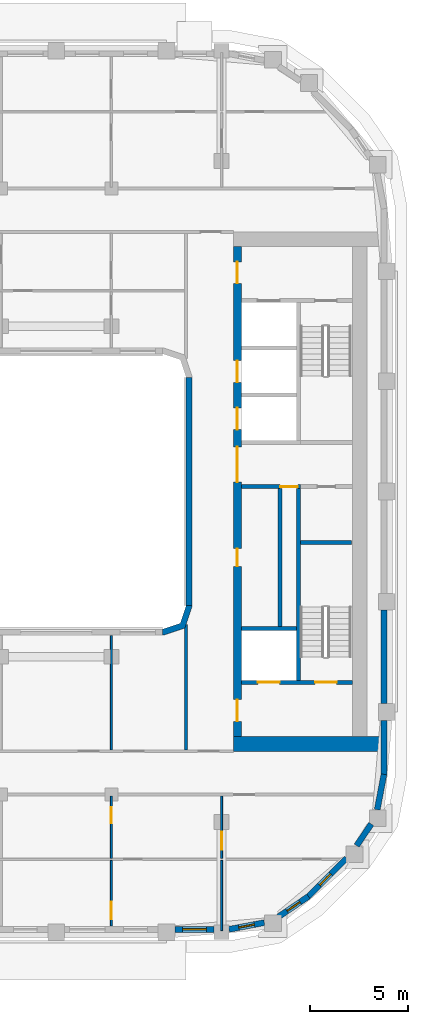
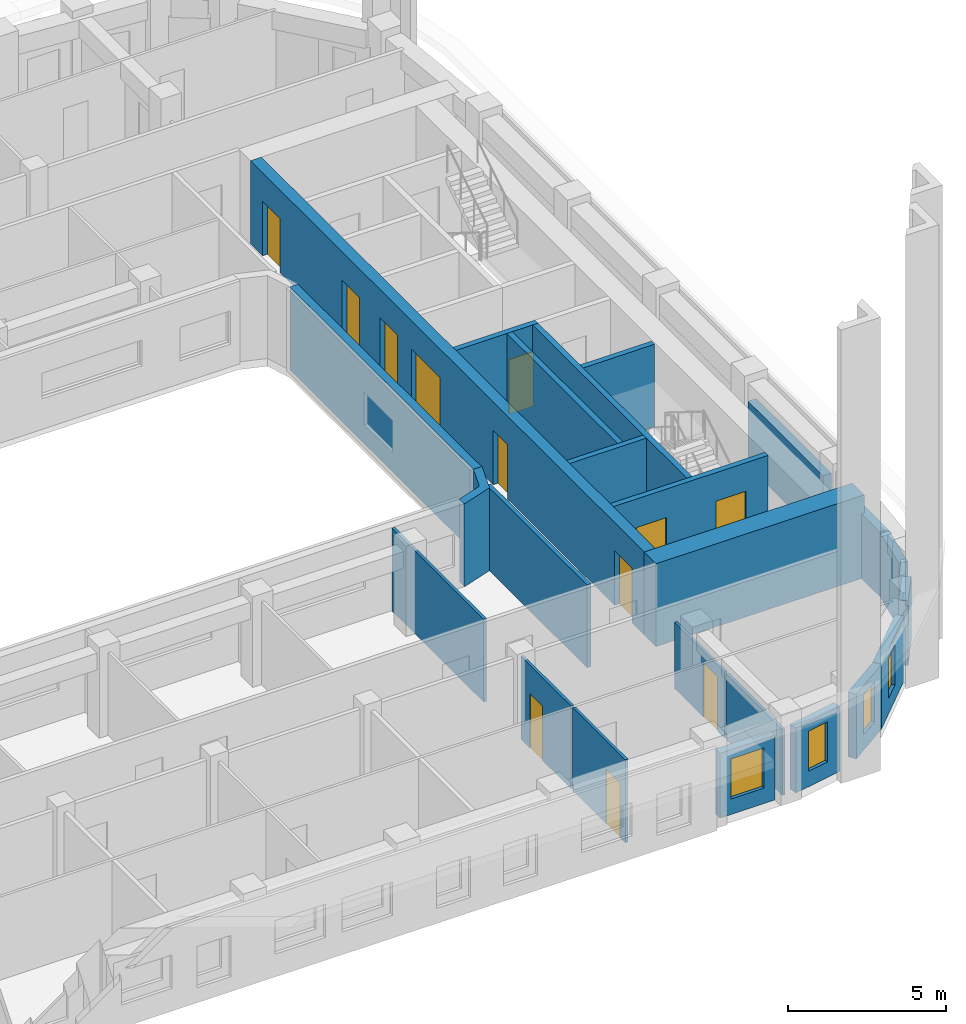
# One storey, part 5 of 21: 24 walls, 12 doors, 4 windows, 16 openings.
"""IFC4 building model written with IfcOpenShell, lengths in metres."""

import ifcopenshell
import ifcopenshell.guid

model = None  # the IFC model being written
_history = None  # IfcOwnerHistory: only IFC2X3 demands one
_inside = {}  # id of a spatial element -> (the spatial element, [elements in it])
_under = {}  # id of a project, library or spatial element -> (it, [spatial elements below it])
_declared = {}  # id of a project -> (the project, [libraries it declares])
_typed = {}  # id of a type object -> (the type object, [elements of that type])
_made_of = {}  # id of a material, layer set ... -> (it, [elements and type objects made of it])


def new_model(schema):
    """Start an empty IFC model of exactly this schema.

    Asked for "IFC4X3", IfcOpenShell would pick the latest addendum, in which some entities
    have other attributes; the version numbers below select the first issue.
    IFC2X3 requires an IfcOwnerHistory on every rooted entity: one is made here for all.
    """
    global model, _history
    if schema == "IFC4X3":
        model = ifcopenshell.file(schema_version=(4, 3, 0, 0))
    else:
        model = ifcopenshell.file(schema=schema)
    _inside.clear()
    _under.clear()
    _declared.clear()
    _typed.clear()
    _made_of.clear()
    _history = None
    if model.schema == "IFC2X3":
        org = make("IfcOrganization", Name="unknown")
        user = make(
            "IfcPersonAndOrganization",
            ThePerson=make("IfcPerson", FamilyName="unknown"),
            TheOrganization=org,
        )
        app = make(
            "IfcApplication",
            ApplicationDeveloper=org,
            Version="unknown",
            ApplicationFullName="unknown",
            ApplicationIdentifier="unknown",
        )
        _history = make(
            "IfcOwnerHistory",
            OwningUser=user,
            OwningApplication=app,
            ChangeAction="ADDED",
            CreationDate=0,
        )
    return model


def make(cls, **values):
    """One entity of the class cls with the attributes given. An attribute that is None is left unset."""
    return model.create_entity(
        cls, **{name: value for name, value in values.items() if value is not None}
    )


def rooted(cls, **values):
    """An entity with a GlobalId (a new one), such as an element, a storey or a relation."""
    return make(cls, GlobalId=ifcopenshell.guid.new(), OwnerHistory=_history, **values)


def si_unit(unit_type, name, prefix=None):
    """IfcSIUnit, for example si_unit("LENGTHUNIT", "METRE", prefix="MILLI")."""
    return make("IfcSIUnit", UnitType=unit_type, Prefix=prefix, Name=name)


def assignment(units):
    """IfcUnitAssignment: the units of a project."""
    return None if units is None else make("IfcUnitAssignment", Units=units)


def point(xyz):
    """IfcCartesianPoint."""
    return None if xyz is None else make("IfcCartesianPoint", Coordinates=xyz)


def direction(xyz):
    """IfcDirection."""
    return None if xyz is None else make("IfcDirection", DirectionRatios=xyz)


def frame(location, z_axis=None, x_axis=None):
    """IfcAxis2Placement3D, a coordinate frame: its origin and axes. An axis left out is left unset."""
    return make(
        "IfcAxis2Placement3D",
        Location=point(location),
        Axis=direction(z_axis),
        RefDirection=direction(x_axis),
    )


def frame_2d(location, x_axis=None):
    """IfcAxis2Placement2D, a coordinate frame in the plane: its origin and x axis."""
    return make(
        "IfcAxis2Placement2D", Location=point(location), RefDirection=direction(x_axis)
    )


def origin():
    """The frame at (0, 0, 0) with its axes left unset."""
    return frame((0.0, 0.0, 0.0))


def place(relative_to, where):
    """IfcLocalPlacement: puts the frame where relative to a parent placement (None: the world)."""
    return make(
        "IfcLocalPlacement", PlacementRelTo=relative_to, RelativePlacement=where
    )


def context(
    kind, dimensions, precision=None, world=None, true_north=None, identifier=None
):
    """IfcGeometricRepresentationContext, for example the 3D "Model" context."""
    return make(
        "IfcGeometricRepresentationContext",
        ContextIdentifier=identifier,
        ContextType=kind,
        CoordinateSpaceDimension=dimensions,
        Precision=precision,
        WorldCoordinateSystem=world,
        TrueNorth=true_north,
    )


def subcontext(parent, identifier, kind, view, scale=None):
    """IfcGeometricRepresentationSubContext, for example "Body" below "Model"."""
    return make(
        "IfcGeometricRepresentationSubContext",
        ContextIdentifier=identifier,
        ContextType=kind,
        ParentContext=parent,
        TargetScale=scale,
        TargetView=view,
    )


def project(units=None, contexts=None):
    """IfcProject with its units and contexts."""
    return rooted(
        "IfcProject",
        Name="project",
        RepresentationContexts=contexts,
        UnitsInContext=assignment(units),
    )


def spatial(cls, under=None, at=None, **own):
    """A site, building, storey or space (cls), placed at a placement, below another one or the project."""
    s = rooted(cls, ObjectPlacement=at, **own)
    if under is not None:
        _under.setdefault(under.id(), (under, []))[1].append(s)
    return s


def polyline(points):
    """IfcPolyline through the points."""
    return make("IfcPolyline", Points=[point(p) for p in points])


def profile(cls, at=None, kind="AREA", **sizes):
    """A parametric profile (cls). Its sizes go by their IFC names, for example OverallWidth=200.0."""
    return make(cls, ProfileType=kind, Position=at, **sizes)


def rectangle(**sizes):
    """IfcRectangleProfileDef."""
    return profile("IfcRectangleProfileDef", **sizes)


def outline(outer, holes=None, kind="AREA"):
    """IfcArbitraryClosedProfileDef: a profile drawn as a closed curve; with holes, ...WithVoids."""
    if holes is None:
        return make("IfcArbitraryClosedProfileDef", ProfileType=kind, OuterCurve=outer)
    return make(
        "IfcArbitraryProfileDefWithVoids",
        ProfileType=kind,
        OuterCurve=outer,
        InnerCurves=holes,
    )


def extrude(swept, where, along, depth):
    """IfcExtrudedAreaSolid: the profile swept, set in the frame where, extruded along a direction by depth."""
    return make(
        "IfcExtrudedAreaSolid",
        SweptArea=swept,
        Position=where,
        ExtrudedDirection=direction(along),
        Depth=depth,
    )


def shape(context_of_items, identifier, shape_type, items):
    """IfcShapeRepresentation: the items that make up one representation, for example the "Body"."""
    return make(
        "IfcShapeRepresentation",
        ContextOfItems=context_of_items,
        RepresentationIdentifier=identifier,
        RepresentationType=shape_type,
        Items=items,
    )


def material(Name=None, Category=None):
    """IfcMaterial."""
    return make("IfcMaterial", Name=Name, Category=Category)


def layer(
    of_material, thickness, ventilated=None, Name=None, Category=None, Priority=None
):
    """IfcMaterialLayer: one layer of a wall or slab, of a material (None: an air gap)."""
    return make(
        "IfcMaterialLayer",
        Material=of_material,
        LayerThickness=thickness,
        IsVentilated=ventilated,
        Name=Name,
        Category=Category,
        Priority=Priority,
    )


def layer_set(layers, Name=None):
    """IfcMaterialLayerSet."""
    return make("IfcMaterialLayerSet", MaterialLayers=layers, LayerSetName=Name)


def made_of(thing, what):
    """Note that an element or type object is made of a material, layer set ...; save() writes the relation."""
    if what is not None:
        _made_of.setdefault(what.id(), (what, []))[1].append(thing)
    return thing


def type_object(cls, material=None, **own):
    """A type object (cls), such as IfcWallType, which elements share."""
    return made_of(rooted(cls, **own), material)


def element(
    cls,
    number,
    at=None,
    inside=None,
    cuts=None,
    type_object=None,
    material=None,
    context=None,
    identifier="Body",
    shape_type=None,
    held_by="IfcProductDefinitionShape",
    body=None,
    shapes=None,
    **own,
):
    """One element of the class cls, such as IfcWall. Its Tag is "e" and its number.

    at: its placement. inside: the storey or other place that contains it. cuts: it is an
    opening in that element (IfcRelVoidsElement). A single representation is given by context,
    identifier, shape_type and body (its items); several are given by shapes. held_by: the class
    of the entity that holds the representations. save() writes the other relations.
    """
    e = rooted(cls, Tag="e%d" % number, ObjectPlacement=at, **own)
    if body is not None:
        shapes = [shape(context, identifier, shape_type, body)]
    if shapes is not None:
        e.Representation = make(held_by, Representations=shapes)
    if inside is not None:
        _inside.setdefault(inside.id(), (inside, []))[1].append(e)
    if cuts is not None:
        rooted(
            "IfcRelVoidsElement", RelatingBuildingElement=cuts, RelatedOpeningElement=e
        )
    if type_object is not None:
        _typed.setdefault(type_object.id(), (type_object, []))[1].append(e)
    return made_of(e, material)


def fill(opening, filler):
    """IfcRelFillsElement: the door or window that sits in an opening."""
    return rooted(
        "IfcRelFillsElement",
        RelatingOpeningElement=opening,
        RelatedBuildingElement=filler,
    )


def aggregate(whole, parts):
    """IfcRelAggregates: a whole, such as a stair, and the parts it consists of."""
    return rooted("IfcRelAggregates", RelatingObject=whole, RelatedObjects=parts)


def save(model, path):
    """Write the relations noted so far, then the file.

    IfcRelAggregates (storeys below a building ...), IfcRelContainedInSpatialStructure (elements
    in a storey), IfcRelDefinesByType, IfcRelAssociatesMaterial and IfcRelDeclares: one each for
    every whole, place, type object, material and project.
    """
    for whole, parts in _under.values():
        aggregate(whole, parts)
    for where, things in _inside.values():
        rooted(
            "IfcRelContainedInSpatialStructure",
            RelatedElements=things,
            RelatingStructure=where,
        )
    for kind, things in _typed.values():
        rooted("IfcRelDefinesByType", RelatedObjects=things, RelatingType=kind)
    for what, things in _made_of.values():
        rooted("IfcRelAssociatesMaterial", RelatedObjects=things, RelatingMaterial=what)
    for by, libraries in _declared.values():
        rooted("IfcRelDeclares", RelatingContext=by, RelatedDefinitions=libraries)
    model.write(path)


model = new_model("IFC4")

# Units and contexts
model_context = context("Model", 3, precision=1e-05, world=origin(), true_north=direction((0.0, 1.0)))
body_context = subcontext(model_context, "Body", "Model", "MODEL_VIEW")
ifc_project = project(units=[si_unit("LENGTHUNIT", "METRE"), si_unit("AREAUNIT", "SQUARE_METRE"), si_unit("VOLUMEUNIT", "CUBIC_METRE"), si_unit("PLANEANGLEUNIT", "RADIAN"), si_unit("MASSUNIT", "GRAM", prefix="KILO")], contexts=[model_context])

# Site, building, storey
site_placement = place(None, origin())
site = spatial("IfcSite", under=ifc_project, at=site_placement, CompositionType="ELEMENT")
building_placement = place(site_placement, origin())
building = spatial("IfcBuilding", under=site, at=building_placement, Name="Kiln Ring Residences", CompositionType="ELEMENT")
storey_placement = place(building_placement, frame((0.0, 0.0, 213.39990234375)))
storey = spatial("IfcBuildingStorey", under=building, at=storey_placement, Name="L55", CompositionType="ELEMENT", Elevation=213.39990234375)

# Walls
ifc_material_1 = material(Name="Gypsum board on steel studs", Category="steel")
ifc_layer_1 = layer(ifc_material_1, 0.199951171875)
ifc_layer_set_1 = layer_set([ifc_layer_1], Name="CORE-PARTITION-200")
wall_type_1 = type_object("IfcWallType", Name="CORE-PARTITION-200", PredefinedType="PARTITIONING", material=ifc_layer_set_1)
wall_1_placement = place(storey_placement, frame((19.760009765625, -6.85009765625, 0.0), z_axis=(0.0, 0.0, 1.0), x_axis=(0.0, 1.0, 0.0)))
element("IfcWall", 1, at=wall_1_placement, inside=storey, type_object=wall_type_1, Name="Core partition east L55 2", PredefinedType="PARTITIONING", context=body_context, shape_type="SweptSolid", body=[
    extrude(rectangle(XDim=7.0, YDim=0.199951171875, at=frame_2d((3.5, 0.0))), origin(), (0.0, 0.0, 1.0), 3.2001953125),
])
ifc_material_2 = material(Name="Gypsum shaft wall system")
ifc_layer_2 = layer(ifc_material_2, 0.199951171875)
ifc_layer_set_2 = layer_set([ifc_layer_2], Name="CORE-SHAFT-WALL-200")
wall_type_2 = type_object("IfcWallType", Name="CORE-SHAFT-WALL-200", PredefinedType="PARTITIONING", material=ifc_layer_set_2)
wall_2_placement = place(storey_placement, frame((17.800048828125, -6.949951171875, 0.0), z_axis=(0.0, 0.0, 1.0), x_axis=(1.0, 0.0, 0.0)))
element("IfcWall", 2, at=wall_2_placement, inside=storey, type_object=wall_type_2, Name="Core partition east L55 3", PredefinedType="PARTITIONING", context=body_context, shape_type="SweptSolid", body=[
    extrude(rectangle(XDim=2.800048828125, YDim=0.199951171875, at=frame_2d((1.39990234375, 0.0))), origin(), (0.0, 0.0, 1.0), 3.2001953125),
])

# Wall, opening, door
wall_3_placement = place(storey_placement, frame((17.800048828125, 0.25, 0.0), z_axis=(0.0, 0.0, 1.0), x_axis=(1.0, 0.0, 0.0)))
wall_3 = element("IfcWall", 3, at=wall_3_placement, inside=storey, type_object=wall_type_2, Name="Core partition east L55 4", PredefinedType="PARTITIONING", context=body_context, shape_type="SweptSolid", body=[
    extrude(rectangle(XDim=3.0, YDim=0.199951171875, at=frame_2d((1.5, 0.0))), origin(), (0.0, 0.0, 1.0), 3.2001953125),
])
opening_1_placement = place(wall_3_placement, frame((1.97998046875, 0.0, 0.0)))
opening_1 = element("IfcOpeningElement", 4, at=opening_1_placement, cuts=wall_3, Name="Opening L55-CE03", PredefinedType="OPENING", context=body_context, shape_type="SweptSolid", body=[
    extrude(rectangle(XDim=0.89990234375, YDim=2.10009765625, at=frame_2d((0.449951171875, 1.050048828125))), frame((0.0, 0.10986328125, 0.0), z_axis=(0.0, -1.0, 0.0), x_axis=(1.0, 0.0, 0.0)), (0.0, 0.0, 1.0), 0.219970703125),
])
ifc_material_3 = material(Name="Steel door leaf", Category="steel")
door_type_1 = type_object("IfcDoorType", Name="CORE-DOOR-ROOM", OperationType="SINGLE_SWING_LEFT", PredefinedType="DOOR", material=ifc_material_3)
door_1_placement = place(opening_1_placement, origin())
door_1 = element("IfcDoor", 5, at=door_1_placement, inside=storey, type_object=door_type_1, Name="Waste room L55-CE03", OperationType="SINGLE_SWING_RIGHT", OverallHeight=2.10009765625, OverallWidth=0.89990234375, PredefinedType="DOOR", context=body_context, shape_type="SweptSolid", body=[
    extrude(rectangle(XDim=0.89990234375, YDim=2.10009765625, at=frame_2d((0.449951171875, 1.050048828125))), frame((0.0, 0.02490234375, 0.0), z_axis=(0.0, -1.0, 0.0), x_axis=(1.0, 0.0, 0.0)), (0.0, 0.0, 1.0), 0.050048828125),
])
fill(opening_1, door_1)

# Wall
ifc_material_4 = material(Name="Concrete C40/50", Category="concrete")
ifc_layer_3 = layer(ifc_material_4, 0.199951171875)
ifc_layer_set_3 = layer_set([ifc_layer_3], Name="CORE-WALL-RC200")
wall_type_3 = type_object("IfcWallType", Name="CORE-WALL-RC200", PredefinedType="SHEAR", material=ifc_layer_set_3)
wall_4_placement = place(storey_placement, frame((20.699951171875, -9.60009765625, 0.0), z_axis=(0.0, 0.0, 1.0), x_axis=(0.0, 1.0, 0.0)))
element("IfcWall", 6, at=wall_4_placement, inside=storey, type_object=wall_type_3, Name="Core wall east L55 2", PredefinedType="SHEAR", context=body_context, shape_type="SweptSolid", body=[
    extrude(rectangle(XDim=9.75, YDim=0.199951171875, at=frame_2d((4.875, 0.0))), origin(), (0.0, 0.0, 1.0), 3.2001953125),
])

# Wall, openings, doors
wall_5_placement = place(storey_placement, frame((17.800048828125, -9.699951171875, 0.0), z_axis=(0.0, 0.0, 1.0), x_axis=(1.0, 0.0, 0.0)))
wall_5 = element("IfcWall", 7, at=wall_5_placement, inside=storey, type_object=wall_type_3, Name="Core wall east L55 8", PredefinedType="SHEAR", context=body_context, shape_type="SweptSolid", body=[
    extrude(rectangle(XDim=5.64990234375, YDim=0.199951171875, at=frame_2d((2.824951171875, 0.0))), origin(), (0.0, 0.0, 1.0), 3.2001953125),
])
opening_2_placement = place(wall_5_placement, frame((0.85009765625, 0.0, 0.0)))
opening_2 = element("IfcOpeningElement", 8, at=opening_2_placement, cuts=wall_5, Name="Opening L55-CE01", PredefinedType="OPENING", context=body_context, shape_type="SweptSolid", body=[
    extrude(rectangle(XDim=1.10009765625, YDim=2.10009765625, at=frame_2d((0.550048828125, 1.050048828125))), frame((0.0, 0.10986328125, 0.0), z_axis=(0.0, -1.0, 0.0), x_axis=(1.0, 0.0, 0.0)), (0.0, 0.0, 1.0), 0.219970703125),
])
opening_3_placement = place(wall_5_placement, frame((3.75, 0.0, 0.0)))
opening_3 = element("IfcOpeningElement", 9, at=opening_3_placement, cuts=wall_5, Name="Opening L55-CE10", PredefinedType="OPENING", context=body_context, shape_type="SweptSolid", body=[
    extrude(rectangle(XDim=1.10009765625, YDim=2.10009765625, at=frame_2d((0.550048828125, 1.050048828125))), frame((0.0, 0.10986328125, 0.0), z_axis=(0.0, -1.0, 0.0), x_axis=(1.0, 0.0, 0.0)), (0.0, 0.0, 1.0), 0.219970703125),
])
ifc_material_5 = material(Name="Steel door leaf", Category="steel")
door_type_2 = type_object("IfcDoorType", Name="CORE-DOOR-LD", OperationType="DOUBLE_DOOR_SLIDING", PredefinedType="DOOR", material=ifc_material_5)
door_2_placement = place(opening_2_placement, origin())
door_2 = element("IfcDoor", 10, at=door_2_placement, inside=storey, type_object=door_type_2, Name="LD E-SV L55-CE01", OperationType="DOUBLE_DOOR_SLIDING", OverallHeight=2.10009765625, OverallWidth=1.10009765625, PredefinedType="DOOR", context=body_context, shape_type="SweptSolid", body=[
    extrude(rectangle(XDim=1.10009765625, YDim=2.10009765625, at=frame_2d((0.550048828125, 1.050048828125))), frame((0.0, 0.02490234375, 0.0), z_axis=(0.0, -1.0, 0.0), x_axis=(1.0, 0.0, 0.0)), (0.0, 0.0, 1.0), 0.050048828125),
])
fill(opening_2, door_2)
ifc_material_6 = material(Name="Steel door leaf", Category="steel")
door_type_3 = type_object("IfcDoorType", Name="CORE-DOOR-STAIR", OperationType="SINGLE_SWING_LEFT", PredefinedType="DOOR", material=ifc_material_6)
door_3_placement = place(opening_3_placement, origin())
door_3 = element("IfcDoor", 11, at=door_3_placement, inside=storey, type_object=door_type_3, Name="Stair E-STS L55-CE10", OperationType="SINGLE_SWING_RIGHT", OverallHeight=2.10009765625, OverallWidth=1.10009765625, PredefinedType="DOOR", context=body_context, shape_type="SweptSolid", body=[
    extrude(rectangle(XDim=1.10009765625, YDim=2.10009765625, at=frame_2d((0.550048828125, 1.050048828125))), frame((0.0, 0.02490234375, 0.0), z_axis=(0.0, -1.0, 0.0), x_axis=(1.0, 0.0, 0.0)), (0.0, 0.0, 1.0), 0.050048828125),
])
fill(opening_3, door_3)

# Wall
wall_6_placement = place(storey_placement, frame((20.800048828125, -2.60009765625, 0.0), z_axis=(0.0, 0.0, 1.0), x_axis=(1.0, 0.0, 0.0)))
element("IfcWall", 12, at=wall_6_placement, inside=storey, type_object=wall_type_3, Name="Core wall east L55 10", PredefinedType="SHEAR", context=body_context, shape_type="SweptSolid", body=[
    extrude(rectangle(XDim=2.599853515625, YDim=0.199951171875, at=frame_2d((1.2998046875, 0.0))), origin(), (0.0, 0.0, 1.0), 3.2001953125),
])

# Wall, openings, doors
ifc_material_7 = material(Name="Concrete C60/75", Category="concrete")
ifc_layer_4 = layer(ifc_material_7, 0.39990234375)
ifc_layer_set_4 = layer_set([ifc_layer_4], Name="CORE-WALL-RC400")
wall_type_4 = type_object("IfcWallType", Name="CORE-WALL-RC400", PredefinedType="SHEAR", material=ifc_layer_set_4)
wall_7_placement = place(storey_placement, frame((17.60009765625, -12.449951171875, 0.0), z_axis=(0.0, 0.0, 1.0), x_axis=(0.0, 1.0, 0.0)))
wall_7 = element("IfcWall", 13, at=wall_7_placement, inside=storey, type_object=wall_type_4, Name="Core wall east L55 6", PredefinedType="SHEAR", context=body_context, shape_type="SweptSolid", body=[
    extrude(rectangle(XDim=24.89990234375, YDim=0.39990234375, at=frame_2d((12.449951171875, 0.0))), origin(), (0.0, 0.0, 1.0), 3.2001953125),
])
opening_4_placement = place(wall_7_placement, frame((8.64990234375, 0.0, 0.0)))
opening_4 = element("IfcOpeningElement", 14, at=opening_4_placement, cuts=wall_7, Name="Opening L55-CE02", PredefinedType="OPENING", context=body_context, shape_type="SweptSolid", body=[
    extrude(rectangle(XDim=0.89990234375, YDim=2.10009765625, at=frame_2d((0.449951171875, 1.050048828125))), frame((0.0, 0.2099609375, 0.0), z_axis=(0.0, -1.0, 0.0), x_axis=(1.0, 0.0, 0.0)), (0.0, 0.0, 1.0), 0.419921875),
])
opening_5_placement = place(wall_7_placement, frame((15.60009765625, 0.0, 0.0)))
opening_5 = element("IfcOpeningElement", 15, at=opening_5_placement, cuts=wall_7, Name="Opening L55-CE04", PredefinedType="OPENING", context=body_context, shape_type="SweptSolid", body=[
    extrude(rectangle(XDim=1.10009765625, YDim=2.10009765625, at=frame_2d((0.550048828125, 1.050048828125))), frame((0.0, 0.2099609375, 0.0), z_axis=(0.0, -1.0, 0.0), x_axis=(1.0, 0.0, 0.0)), (0.0, 0.0, 1.0), 0.419921875),
])
opening_6_placement = place(wall_7_placement, frame((18.0, 0.0, 0.0)))
opening_6 = element("IfcOpeningElement", 16, at=opening_6_placement, cuts=wall_7, Name="Opening L55-CE05", PredefinedType="OPENING", context=body_context, shape_type="SweptSolid", body=[
    extrude(rectangle(XDim=1.10009765625, YDim=2.10009765625, at=frame_2d((0.550048828125, 1.050048828125))), frame((0.0, 0.2099609375, 0.0), z_axis=(0.0, -1.0, 0.0), x_axis=(1.0, 0.0, 0.0)), (0.0, 0.0, 1.0), 0.419921875),
])
opening_7_placement = place(wall_7_placement, frame((23.02490234375, 0.0, 0.0)))
opening_7 = element("IfcOpeningElement", 17, at=opening_7_placement, cuts=wall_7, Name="Opening L55-CE07", PredefinedType="OPENING", context=body_context, shape_type="SweptSolid", body=[
    extrude(rectangle(XDim=1.10009765625, YDim=2.10009765625, at=frame_2d((0.550048828125, 1.050048828125))), frame((0.0, 0.2099609375, 0.0), z_axis=(0.0, -1.0, 0.0), x_axis=(1.0, 0.0, 0.0)), (0.0, 0.0, 1.0), 0.419921875),
])
opening_8_placement = place(wall_7_placement, frame((0.77490234375, 0.0, 0.0)))
opening_8 = element("IfcOpeningElement", 18, at=opening_8_placement, cuts=wall_7, Name="Opening L55-CE08", PredefinedType="OPENING", context=body_context, shape_type="SweptSolid", body=[
    extrude(rectangle(XDim=1.10009765625, YDim=2.10009765625, at=frame_2d((0.550048828125, 1.050048828125))), frame((0.0, 0.2099609375, 0.0), z_axis=(0.0, -1.0, 0.0), x_axis=(1.0, 0.0, 0.0)), (0.0, 0.0, 1.0), 0.419921875),
])
opening_9_placement = place(wall_7_placement, frame((12.925048828125, 0.0, 0.0)))
opening_9 = element("IfcOpeningElement", 19, at=opening_9_placement, cuts=wall_7, Name="Opening L55-CE11", PredefinedType="OPENING", context=body_context, shape_type="SweptSolid", body=[
    extrude(rectangle(XDim=1.800048828125, YDim=2.10009765625, at=frame_2d((0.89990234375, 1.050048828125))), frame((0.0, 0.2099609375, 0.0), z_axis=(0.0, -1.0, 0.0), x_axis=(1.0, 0.0, 0.0)), (0.0, 0.0, 1.0), 0.419921875),
])
door_4_placement = place(opening_5_placement, origin())
door_4 = element("IfcDoor", 20, at=door_4_placement, inside=storey, type_object=door_type_2, Name="LD E-M1 L55-CE04", OperationType="DOUBLE_DOOR_SLIDING", OverallHeight=2.10009765625, OverallWidth=1.10009765625, PredefinedType="DOOR", context=body_context, shape_type="SweptSolid", body=[
    extrude(rectangle(XDim=1.10009765625, YDim=2.10009765625, at=frame_2d((0.550048828125, 1.050048828125))), frame((0.0, 0.02490234375, 0.0), z_axis=(0.0, -1.0, 0.0), x_axis=(1.0, 0.0, 0.0)), (0.0, 0.0, 1.0), 0.050048828125),
])
fill(opening_5, door_4)
door_5_placement = place(opening_6_placement, origin())
door_5 = element("IfcDoor", 21, at=door_5_placement, inside=storey, type_object=door_type_2, Name="LD E-M2 L55-CE05", OperationType="DOUBLE_DOOR_SLIDING", OverallHeight=2.10009765625, OverallWidth=1.10009765625, PredefinedType="DOOR", context=body_context, shape_type="SweptSolid", body=[
    extrude(rectangle(XDim=1.10009765625, YDim=2.10009765625, at=frame_2d((0.550048828125, 1.050048828125))), frame((0.0, 0.02490234375, 0.0), z_axis=(0.0, -1.0, 0.0), x_axis=(1.0, 0.0, 0.0)), (0.0, 0.0, 1.0), 0.050048828125),
])
fill(opening_6, door_5)
ifc_material_8 = material(Name="Steel door leaf", Category="steel")
door_type_4 = type_object("IfcDoorType", Name="CORE-DOOR-LOBBY", OperationType="SINGLE_SWING_LEFT", PredefinedType="DOOR", material=ifc_material_8)
door_6_placement = place(opening_7_placement, origin())
door_6 = element("IfcDoor", 22, at=door_6_placement, inside=storey, type_object=door_type_4, Name="FFL L55-CE07", OperationType="SINGLE_SWING_LEFT", OverallHeight=2.10009765625, OverallWidth=1.10009765625, PredefinedType="DOOR", context=body_context, shape_type="SweptSolid", body=[
    extrude(rectangle(XDim=1.10009765625, YDim=2.10009765625, at=frame_2d((0.550048828125, 1.050048828125))), frame((0.0, 0.02490234375, 0.0), z_axis=(0.0, -1.0, 0.0), x_axis=(1.0, 0.0, 0.0)), (0.0, 0.0, 1.0), 0.050048828125),
])
fill(opening_7, door_6)
door_7_placement = place(opening_8_placement, origin())
door_7 = element("IfcDoor", 23, at=door_7_placement, inside=storey, type_object=door_type_4, Name="SVL L55-CE08", OperationType="SINGLE_SWING_RIGHT", OverallHeight=2.10009765625, OverallWidth=1.10009765625, PredefinedType="DOOR", context=body_context, shape_type="SweptSolid", body=[
    extrude(rectangle(XDim=1.10009765625, YDim=2.10009765625, at=frame_2d((0.550048828125, 1.050048828125))), frame((0.0, 0.02490234375, 0.0), z_axis=(0.0, -1.0, 0.0), x_axis=(1.0, 0.0, 0.0)), (0.0, 0.0, 1.0), 0.050048828125),
])
fill(opening_8, door_7)
ifc_material_9 = material(Name="Steel door leaf", Category="steel")
door_type_5 = type_object("IfcDoorType", Name="CORE-DOOR-PASS", OperationType="DOUBLE_DOOR_SINGLE_SWING", PredefinedType="DOOR", material=ifc_material_9)
door_8_placement = place(opening_9_placement, origin())
door_8 = element("IfcDoor", 24, at=door_8_placement, inside=storey, type_object=door_type_5, Name="Core passage L55-CE11", OperationType="DOUBLE_DOOR_SINGLE_SWING", OverallHeight=2.10009765625, OverallWidth=1.800048828125, PredefinedType="DOOR", context=body_context, shape_type="SweptSolid", body=[
    extrude(rectangle(XDim=1.800048828125, YDim=2.10009765625, at=frame_2d((0.89990234375, 1.050048828125))), frame((0.0, 0.02490234375, 0.0), z_axis=(0.0, -1.0, 0.0), x_axis=(1.0, 0.0, 0.0)), (0.0, 0.0, 1.0), 0.050048828125),
])
fill(opening_9, door_8)
door_9_placement = place(opening_4_placement, origin())
door_9 = element("IfcDoor", 25, at=door_9_placement, inside=storey, type_object=door_type_1, Name="Janitor's store L55-CE02", OperationType="SINGLE_SWING_LEFT", OverallHeight=2.10009765625, OverallWidth=0.89990234375, PredefinedType="DOOR", context=body_context, shape_type="SweptSolid", body=[
    extrude(rectangle(XDim=0.89990234375, YDim=2.10009765625, at=frame_2d((0.449951171875, 1.050048828125))), frame((0.0, 0.02490234375, 0.0), z_axis=(0.0, -1.0, 0.0), x_axis=(1.0, 0.0, 0.0)), (0.0, 0.0, 1.0), 0.050048828125),
])
fill(opening_4, door_9)

# Wall
ifc_material_10 = material(Name="Concrete C60/75", Category="concrete")
ifc_layer_5 = layer(ifc_material_10, 0.75)
ifc_layer_set_5 = layer_set([ifc_layer_5], Name="CORE-WALL-RC750")
wall_type_5 = type_object("IfcWallType", Name="CORE-WALL-RC750", PredefinedType="SHEAR", material=ifc_layer_set_5)
wall_8_placement = place(storey_placement, frame((17.39990234375, -12.824951171875, 0.0), z_axis=(0.0, 0.0, 1.0), x_axis=(1.0, 0.0, 0.0)))
element("IfcWall", 26, at=wall_8_placement, inside=storey, type_object=wall_type_5, Name="Core wall east L55 5", PredefinedType="SHEAR", context=body_context, shape_type="SweptSolid", body=[
    extrude(rectangle(XDim=7.60009765625, YDim=0.75, at=frame_2d((3.800048828125, 0.0))), origin(), (0.0, 0.0, 1.0), 3.2001953125),
])

# Wall, opening, window
ifc_material_11 = material(Name="Brick masonry, dark clay brick", Category="masonry")
ifc_layer_6 = layer(ifc_material_11, 0.300048828125)
ifc_layer_set_6 = layer_set([ifc_layer_6], Name="EW-300 BRICK WALL")
wall_type_6 = type_object("IfcWallType", Name="EW-300 BRICK WALL", PredefinedType="SOLIDWALL", material=ifc_layer_set_6)
wall_9_placement = place(storey_placement, frame((14.425048828125, -22.25, 0.0), z_axis=(0.0, 0.0, 1.0), x_axis=(1.0, 0.0, 0.0)))
wall_9 = element("IfcWall", 27, at=wall_9_placement, inside=storey, type_object=wall_type_6, Name="Facade wall L55 10", PredefinedType="SOLIDWALL", context=body_context, shape_type="SweptSolid", body=[
    extrude(rectangle(XDim=2.0, YDim=0.300048828125, at=frame_2d((1.0, 0.0))), origin(), (0.0, 0.0, 1.0), 2.5),
])
opening_10_placement = place(wall_9_placement, frame((0.39990234375, 0.0, 0.60009765625)))
opening_10 = element("IfcOpeningElement", 28, at=opening_10_placement, cuts=wall_9, Name="Opening W1", PredefinedType="OPENING", context=body_context, shape_type="SweptSolid", body=[
    extrude(rectangle(XDim=1.199951171875, YDim=1.550048828125, at=frame_2d((0.60009765625, 0.77490234375))), frame((0.0, 0.159912109375, 0.0), z_axis=(0.0, -1.0, 0.0), x_axis=(1.0, 0.0, 0.0)), (0.0, 0.0, 1.0), 0.320068359375),
])
ifc_material_12 = material(Name="Aluminium frame with double glazing", Category="aluminium")
window_type_1 = type_object("IfcWindowType", Name="WINDOW 1200 x 1550", PartitioningType="SINGLE_PANEL", PredefinedType="WINDOW", material=ifc_material_12)
window_1_placement = place(opening_10_placement, origin())
window_1 = element("IfcWindow", 29, at=window_1_placement, inside=storey, type_object=window_type_1, Name="Window L55 13", OverallHeight=1.550048828125, OverallWidth=1.199951171875, PartitioningType="SINGLE_PANEL", PredefinedType="WINDOW", context=body_context, shape_type="SweptSolid", body=[
    extrude(rectangle(XDim=1.199951171875, YDim=1.550048828125, at=frame_2d((0.60009765625, 0.77490234375))), frame((0.0, 0.030029296875, 0.0), z_axis=(0.0, -1.0, 0.0), x_axis=(1.0, 0.0, 0.0)), (0.0, 0.0, 1.0), 0.06005859375),
])
fill(opening_10, window_1)

wall_10_placement = place(storey_placement, frame((17.171875, -22.252685546875, 0.0), z_axis=(0.0, 0.0, 1.0), x_axis=(0.982300037503, 0.187314271538, 0.0)))
wall_10 = element("IfcWall", 30, at=wall_10_placement, inside=storey, type_object=wall_type_6, Name="Facade wall L55 11", PredefinedType="SOLIDWALL", context=body_context, shape_type="SweptSolid", body=[
    extrude(rectangle(XDim=1.831298828125, YDim=0.300048828125, at=frame_2d((0.91552734375, 0.0))), origin(), (0.0, 0.0, 1.0), 2.5),
])
opening_11_placement = place(wall_10_placement, frame((0.515625, 0.0, 0.60009765625)))
opening_11 = element("IfcOpeningElement", 31, at=opening_11_placement, cuts=wall_10, Name="Opening W5", PredefinedType="OPENING", context=body_context, shape_type="SweptSolid", body=[
    extrude(rectangle(XDim=0.800048828125, YDim=1.550048828125, at=frame_2d((0.39990234375, 0.77490234375))), frame((0.0, 0.159912109375, 0.0), z_axis=(0.0, -1.0, 0.0), x_axis=(1.0, 0.0, 0.0)), (0.0, 0.0, 1.0), 0.320068359375),
])
ifc_material_13 = material(Name="Aluminium frame with double glazing", Category="aluminium")
window_type_2 = type_object("IfcWindowType", Name="WINDOW 800 x 1550", PartitioningType="SINGLE_PANEL", PredefinedType="WINDOW", material=ifc_material_13)
window_2_placement = place(opening_11_placement, origin())
window_2 = element("IfcWindow", 32, at=window_2_placement, inside=storey, type_object=window_type_2, Name="Window L55 14", OverallHeight=1.550048828125, OverallWidth=0.800048828125, PartitioningType="SINGLE_PANEL", PredefinedType="WINDOW", context=body_context, shape_type="SweptSolid", body=[
    extrude(rectangle(XDim=0.800048828125, YDim=1.550048828125, at=frame_2d((0.39990234375, 0.77490234375))), frame((0.0, 0.030029296875, 0.0), z_axis=(0.0, -1.0, 0.0), x_axis=(1.0, 0.0, 0.0)), (0.0, 0.0, 1.0), 0.06005859375),
])
fill(opening_11, window_2)

wall_11_placement = place(storey_placement, frame((19.6982421875, -21.608154296875, 0.0), z_axis=(0.0, 0.0, 1.0), x_axis=(0.82705295608, 0.562124014644, 0.0)))
wall_11 = element("IfcWall", 33, at=wall_11_placement, inside=storey, type_object=wall_type_6, Name="Facade wall L55 12", PredefinedType="SOLIDWALL", context=body_context, shape_type="SweptSolid", body=[
    extrude(rectangle(XDim=1.8310546875, YDim=0.300048828125, at=frame_2d((0.91552734375, 0.0))), origin(), (0.0, 0.0, 1.0), 2.5),
])
opening_12_placement = place(wall_11_placement, frame((0.515625, 0.0, 0.60009765625)))
opening_12 = element("IfcOpeningElement", 34, at=opening_12_placement, cuts=wall_11, Name="Opening W5", PredefinedType="OPENING", context=body_context, shape_type="SweptSolid", body=[
    extrude(rectangle(XDim=0.800048828125, YDim=1.550048828125, at=frame_2d((0.39990234375, 0.77490234375))), frame((0.0, 0.159912109375, 0.0), z_axis=(0.0, -1.0, 0.0), x_axis=(1.0, 0.0, 0.0)), (0.0, 0.0, 1.0), 0.320068359375),
])
window_3_placement = place(opening_12_placement, origin())
window_3 = element("IfcWindow", 35, at=window_3_placement, inside=storey, type_object=window_type_2, Name="Window L55 15", OverallHeight=1.550048828125, OverallWidth=0.800048828125, PartitioningType="SINGLE_PANEL", PredefinedType="WINDOW", context=body_context, shape_type="SweptSolid", body=[
    extrude(rectangle(XDim=0.800048828125, YDim=1.550048828125, at=frame_2d((0.39990234375, 0.77490234375))), frame((0.0, 0.030029296875, 0.0), z_axis=(0.0, -1.0, 0.0), x_axis=(1.0, 0.0, 0.0)), (0.0, 0.0, 1.0), 0.06005859375),
])
fill(opening_12, window_3)

wall_12_placement = place(storey_placement, frame((21.19091796875, -20.596923828125, 0.0), z_axis=(0.0, 0.0, 1.0), x_axis=(0.707150767798, 0.707062791838, 0.0)))
wall_12 = element("IfcWall", 36, at=wall_12_placement, inside=storey, type_object=wall_type_6, Name="Facade wall L55 13", PredefinedType="SOLIDWALL", context=body_context, shape_type="SweptSolid", body=[
    extrude(rectangle(XDim=2.775146484375, YDim=0.300048828125, at=frame_2d((1.3876953125, 0.0))), origin(), (0.0, 0.0, 1.0), 2.5),
])
opening_13_placement = place(wall_12_placement, frame((0.83837890625, 0.0, 0.60009765625)))
opening_13 = element("IfcOpeningElement", 37, at=opening_13_placement, cuts=wall_12, Name="Opening W5", PredefinedType="OPENING", context=body_context, shape_type="SweptSolid", body=[
    extrude(rectangle(XDim=0.800048828125, YDim=1.550048828125, at=frame_2d((0.39990234375, 0.77490234375))), frame((0.0, 0.159912109375, 0.0), z_axis=(0.0, -1.0, 0.0), x_axis=(1.0, 0.0, 0.0)), (0.0, 0.0, 1.0), 0.320068359375),
])
window_4_placement = place(opening_13_placement, origin())
window_4 = element("IfcWindow", 38, at=window_4_placement, inside=storey, type_object=window_type_2, Name="Window L55 16", OverallHeight=1.550048828125, OverallWidth=0.800048828125, PartitioningType="SINGLE_PANEL", PredefinedType="WINDOW", context=body_context, shape_type="SweptSolid", body=[
    extrude(rectangle(XDim=0.800048828125, YDim=1.550048828125, at=frame_2d((0.39990234375, 0.77490234375))), frame((0.0, 0.030029296875, 0.0), z_axis=(0.0, -1.0, 0.0), x_axis=(1.0, 0.0, 0.0)), (0.0, 0.0, 1.0), 0.06005859375),
])
fill(opening_13, window_4)

# Walls
wall_13_placement = place(storey_placement, frame((23.662109375, -17.995849609375, 0.0), z_axis=(0.0, 0.0, 1.0), x_axis=(0.562149004813, 0.827035970432, 0.0)))
element("IfcWall", 39, at=wall_13_placement, inside=storey, type_object=wall_type_6, Name="Facade wall L55 14", PredefinedType="SOLIDWALL", context=body_context, shape_type="SweptSolid", body=[
    extrude(rectangle(XDim=1.3271484375, YDim=0.300048828125, at=frame_2d((0.66357421875, 0.0))), origin(), (0.0, 0.0, 1.0), 2.5),
])
wall_14_placement = place(storey_placement, frame((24.70947265625, -16.170654296875, 0.0), z_axis=(0.0, 0.0, 1.0), x_axis=(0.187442908742, 0.982275499014, 0.0)))
element("IfcWall", 40, at=wall_14_placement, inside=storey, type_object=wall_type_6, Name="Facade wall L55 15", PredefinedType="SOLIDWALL", context=body_context, shape_type="SweptSolid", body=[
    extrude(rectangle(XDim=1.831298828125, YDim=0.300048828125, at=frame_2d((0.91552734375, 0.0))), origin(), (0.0, 0.0, 1.0), 2.5),
])
wall_15_placement = place(storey_placement, frame((25.050048828125, -14.39990234375, 0.0), z_axis=(0.0, 0.0, 1.0), x_axis=(0.0, 1.0, 0.0)))
element("IfcWall", 41, at=wall_15_placement, inside=storey, type_object=wall_type_6, Name="Facade wall L55 16", PredefinedType="SOLIDWALL", context=body_context, shape_type="SweptSolid", body=[
    extrude(rectangle(XDim=2.77490234375, YDim=0.300048828125, at=frame_2d((1.387451171875, 0.0))), origin(), (0.0, 0.0, 1.0), 2.5),
])
wall_16_placement = place(storey_placement, frame((25.050048828125, -10.77490234375, 0.0), z_axis=(0.0, 0.0, 1.0), x_axis=(0.0, 1.0, 0.0)))
element("IfcWall", 42, at=wall_16_placement, inside=storey, type_object=wall_type_6, Name="Facade wall L55 17", PredefinedType="SOLIDWALL", context=body_context, shape_type="SweptSolid", body=[
    extrude(rectangle(XDim=4.75, YDim=0.300048828125, at=frame_2d((2.375, 0.0))), origin(), (0.0, 0.0, 1.0), 2.5),
])
wall_17_placement = place(storey_placement, frame((15.14990234375, 5.800048828125, 0.0), z_axis=(0.0, 0.0, 1.0), x_axis=(0.0, -1.0, 0.0)))
element("IfcWall", 43, at=wall_17_placement, inside=storey, type_object=wall_type_6, Name="Facade wall L55 49", PredefinedType="SOLIDWALL", context=body_context, shape_type="SweptSolid", body=[
    extrude(rectangle(XDim=11.60009765625, YDim=0.300048828125, at=frame_2d((5.800048828125, 0.0))), origin(), (0.0, 0.0, 1.0), 3.2001953125),
])
wall_18_placement = place(storey_placement, origin())
element("IfcWall", 44, at=wall_18_placement, inside=storey, type_object=wall_type_6, Name="Corner wall L55 3", PredefinedType="SOLIDWALL", context=body_context, shape_type="SweptSolid", body=[
    extrude(outline(polyline([(14.937255859375, -6.937255859375), (15.300048828125, -5.8486328125), (15.300048828125, -5.800048828125), (15.0, -5.800048828125), (14.699951171875, -6.699951171875), (13.800048828125, -7.0), (13.800048828125, -7.300048828125), (13.8486328125, -7.300048828125), (14.937255859375, -6.937255859375)])), origin(), (0.0, 0.0, 1.0), 3.2001953125),
])

# Wall, opening, door
ifc_material_14 = material(Name="Gypsum board on steel studs", Category="steel")
ifc_layer_7 = layer(ifc_material_14, 0.10009765625)
ifc_layer_set_7 = layer_set([ifc_layer_7], Name="PARTITION-100")
wall_type_7 = type_object("IfcWallType", Name="PARTITION-100", PredefinedType="PARTITIONING", material=ifc_layer_set_7)
wall_19_placement = place(storey_placement, frame((11.199951171875, -22.080078125, 0.0), z_axis=(0.0, 0.0, 1.0), x_axis=(0.0, 1.0, 0.0)))
wall_19 = element("IfcWall", 45, at=wall_19_placement, inside=storey, type_object=wall_type_7, Name="Partition 041", PredefinedType="PARTITIONING", context=body_context, shape_type="SweptSolid", body=[
    extrude(rectangle(XDim=3.330078125, YDim=0.10009765625, at=frame_2d((1.6650390625, 0.0))), origin(), (0.0, 0.0, 1.0), 3.2001953125),
])
opening_14_placement = place(wall_19_placement, frame((0.330078125, 0.0, 0.0)))
opening_14 = element("IfcOpeningElement", 46, at=opening_14_placement, cuts=wall_19, Name="Opening L55-D054", PredefinedType="OPENING", context=body_context, shape_type="SweptSolid", body=[
    extrude(rectangle(XDim=0.89990234375, YDim=2.10009765625, at=frame_2d((0.449951171875, 1.050048828125))), frame((0.0, 0.06005859375, 0.0), z_axis=(0.0, -1.0, 0.0), x_axis=(1.0, 0.0, 0.0)), (0.0, 0.0, 1.0), 0.1201171875),
])
ifc_material_15 = material(Name="Timber door leaf", Category="wood")
door_type_6 = type_object("IfcDoorType", Name="FLAT-DOOR-900-PL", OperationType="SINGLE_SWING_LEFT", PredefinedType="DOOR", material=ifc_material_15)
door_10_placement = place(opening_14_placement, origin())
door_10 = element("IfcDoor", 47, at=door_10_placement, inside=storey, type_object=door_type_6, Name="Door L55-D054", OperationType="SINGLE_SWING_RIGHT", OverallHeight=2.10009765625, OverallWidth=0.89990234375, PredefinedType="DOOR", context=body_context, shape_type="SweptSolid", body=[
    extrude(rectangle(XDim=0.89990234375, YDim=2.10009765625, at=frame_2d((0.449951171875, 1.050048828125))), frame((0.0, 0.02490234375, 0.0), z_axis=(0.0, -1.0, 0.0), x_axis=(1.0, 0.0, 0.0)), (0.0, 0.0, 1.0), 0.050048828125),
])
fill(opening_14, door_10)

wall_20_placement = place(storey_placement, frame((11.199951171875, -18.64990234375, 0.0), z_axis=(0.0, 0.0, 1.0), x_axis=(0.0, 1.0, 0.0)))
wall_20 = element("IfcWall", 48, at=wall_20_placement, inside=storey, type_object=wall_type_7, Name="Partition 042", PredefinedType="PARTITIONING", context=body_context, shape_type="SweptSolid", body=[
    extrude(rectangle(XDim=3.1748046875, YDim=0.10009765625, at=frame_2d((1.58740234375, 0.0))), origin(), (0.0, 0.0, 1.0), 3.2001953125),
])
opening_15_placement = place(wall_20_placement, frame((1.799072265625, 0.0, 0.0)))
opening_15 = element("IfcOpeningElement", 49, at=opening_15_placement, cuts=wall_20, Name="Opening L55-D051", PredefinedType="OPENING", context=body_context, shape_type="SweptSolid", body=[
    extrude(rectangle(XDim=0.800048828125, YDim=2.10009765625, at=frame_2d((0.39990234375, 1.050048828125))), frame((0.0, 0.06005859375, 0.0), z_axis=(0.0, -1.0, 0.0), x_axis=(1.0, 0.0, 0.0)), (0.0, 0.0, 1.0), 0.1201171875),
])
ifc_material_16 = material(Name="Timber door leaf", Category="wood")
door_type_7 = type_object("IfcDoorType", Name="FLAT-DOOR-800-PL", OperationType="SINGLE_SWING_LEFT", PredefinedType="DOOR", material=ifc_material_16)
door_11_placement = place(opening_15_placement, origin())
door_11 = element("IfcDoor", 50, at=door_11_placement, inside=storey, type_object=door_type_7, Name="Door L55-D051", OperationType="SINGLE_SWING_LEFT", OverallHeight=2.10009765625, OverallWidth=0.800048828125, PredefinedType="DOOR", context=body_context, shape_type="SweptSolid", body=[
    extrude(rectangle(XDim=0.800048828125, YDim=2.10009765625, at=frame_2d((0.39990234375, 1.050048828125))), frame((0.0, 0.02490234375, 0.0), z_axis=(0.0, -1.0, 0.0), x_axis=(1.0, 0.0, 0.0)), (0.0, 0.0, 1.0), 0.050048828125),
])
fill(opening_15, door_11)

# Walls
wall_21_placement = place(storey_placement, frame((11.199951171875, -13.125, 0.0), z_axis=(0.0, 0.0, 1.0), x_axis=(0.0, 1.0, 0.0)))
element("IfcWall", 51, at=wall_21_placement, inside=storey, type_object=wall_type_7, Name="Partition 043", PredefinedType="PARTITIONING", context=body_context, shape_type="SweptSolid", body=[
    extrude(rectangle(XDim=5.804931640625, YDim=0.10009765625, at=frame_2d((2.90234375, 0.0))), origin(), (0.0, 0.0, 1.0), 3.2001953125),
])
wall_22_placement = place(storey_placement, frame((16.800048828125, -22.31005859375, 0.0), z_axis=(0.0, 0.0, 1.0), x_axis=(0.0, 1.0, 0.0)))
element("IfcWall", 52, at=wall_22_placement, inside=storey, type_object=wall_type_7, Name="Partition 050", PredefinedType="PARTITIONING", context=body_context, shape_type="SweptSolid", body=[
    extrude(rectangle(XDim=3.56005859375, YDim=0.10009765625, at=frame_2d((1.780029296875, 0.0))), origin(), (0.0, 0.0, 1.0), 2.550048828125),
])

# Wall, opening, door
wall_23_placement = place(storey_placement, frame((16.800048828125, -18.64990234375, 0.0), z_axis=(0.0, 0.0, 1.0), x_axis=(0.0, 1.0, 0.0)))
wall_23 = element("IfcWall", 53, at=wall_23_placement, inside=storey, type_object=wall_type_7, Name="Partition 051", PredefinedType="PARTITIONING", context=body_context, shape_type="SweptSolid", body=[
    extrude(rectangle(XDim=3.1748046875, YDim=0.10009765625, at=frame_2d((1.58740234375, 0.0))), origin(), (0.0, 0.0, 1.0), 2.550048828125),
])
opening_16_placement = place(wall_23_placement, frame((0.448974609375, 0.0, 0.0)))
opening_16 = element("IfcOpeningElement", 54, at=opening_16_placement, cuts=wall_23, Name="Opening L55-D050", PredefinedType="OPENING", context=body_context, shape_type="SweptSolid", body=[
    extrude(rectangle(XDim=0.89990234375, YDim=2.10009765625, at=frame_2d((0.449951171875, 1.050048828125))), frame((0.0, 0.06005859375, 0.0), z_axis=(0.0, -1.0, 0.0), x_axis=(1.0, 0.0, 0.0)), (0.0, 0.0, 1.0), 0.1201171875),
])
door_12_placement = place(opening_16_placement, origin())
door_12 = element("IfcDoor", 55, at=door_12_placement, inside=storey, type_object=door_type_6, Name="Door L55-D050", OperationType="SINGLE_SWING_RIGHT", OverallHeight=2.10009765625, OverallWidth=0.89990234375, PredefinedType="DOOR", context=body_context, shape_type="SweptSolid", body=[
    extrude(rectangle(XDim=0.89990234375, YDim=2.10009765625, at=frame_2d((0.449951171875, 1.050048828125))), frame((0.0, 0.02490234375, 0.0), z_axis=(0.0, -1.0, 0.0), x_axis=(1.0, 0.0, 0.0)), (0.0, 0.0, 1.0), 0.050048828125),
])
fill(opening_16, door_12)

# Wall
ifc_material_17 = material(Name="Brick masonry partition", Category="masonry")
ifc_layer_8 = layer(ifc_material_17, 0.14990234375)
ifc_layer_set_8 = layer_set([ifc_layer_8], Name="PARTITION-150-ei60")
wall_type_8 = type_object("IfcWallType", Name="PARTITION-150-ei60", PredefinedType="PARTITIONING", material=ifc_layer_set_8)
wall_24_placement = place(storey_placement, frame((15.0, -13.125, 0.0), z_axis=(0.0, 0.0, 1.0), x_axis=(0.0, 1.0, 0.0)))
element("IfcWall", 56, at=wall_24_placement, inside=storey, type_object=wall_type_8, Name="Partition 048", PredefinedType="PARTITIONING", context=body_context, shape_type="SweptSolid", body=[
    extrude(rectangle(XDim=6.356201171875, YDim=0.14990234375, at=frame_2d((3.17822265625, 0.0))), origin(), (0.0, 0.0, 1.0), 3.2001953125),
])

save(model, "model.ifc")
